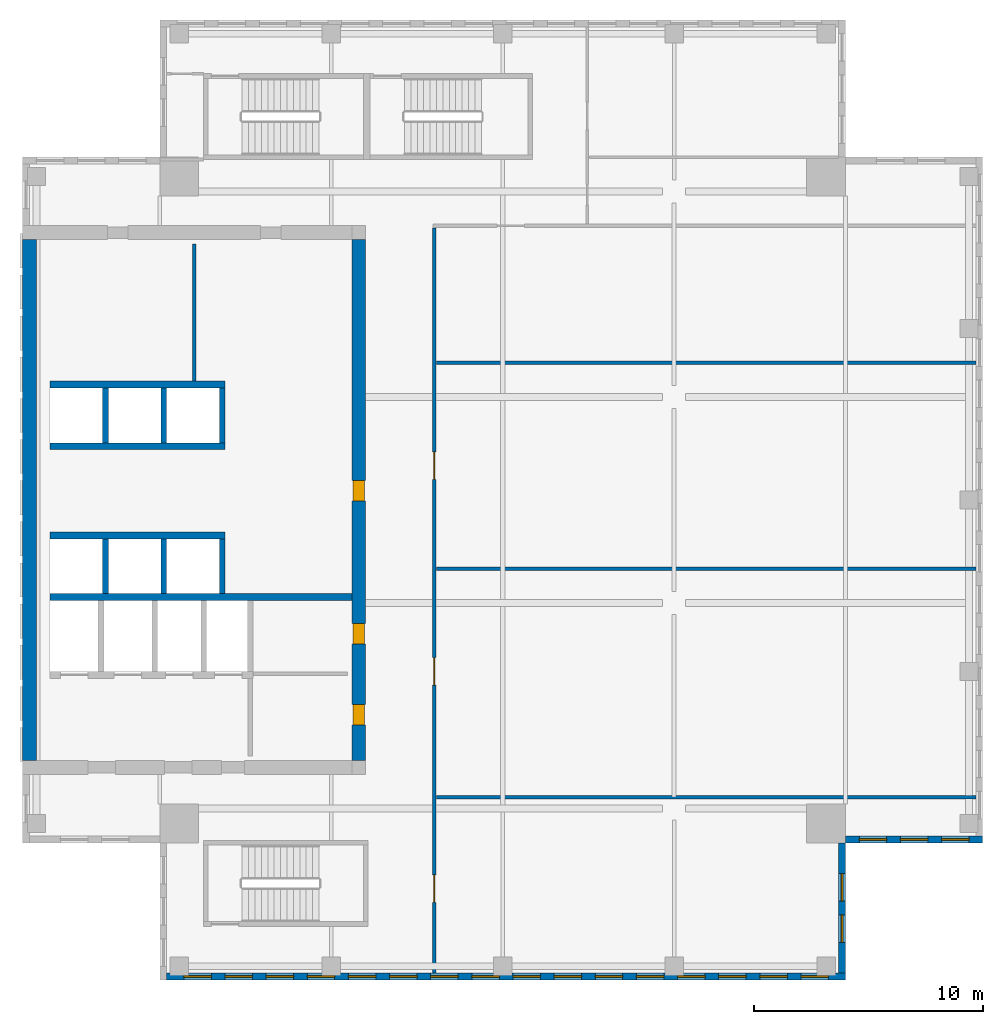
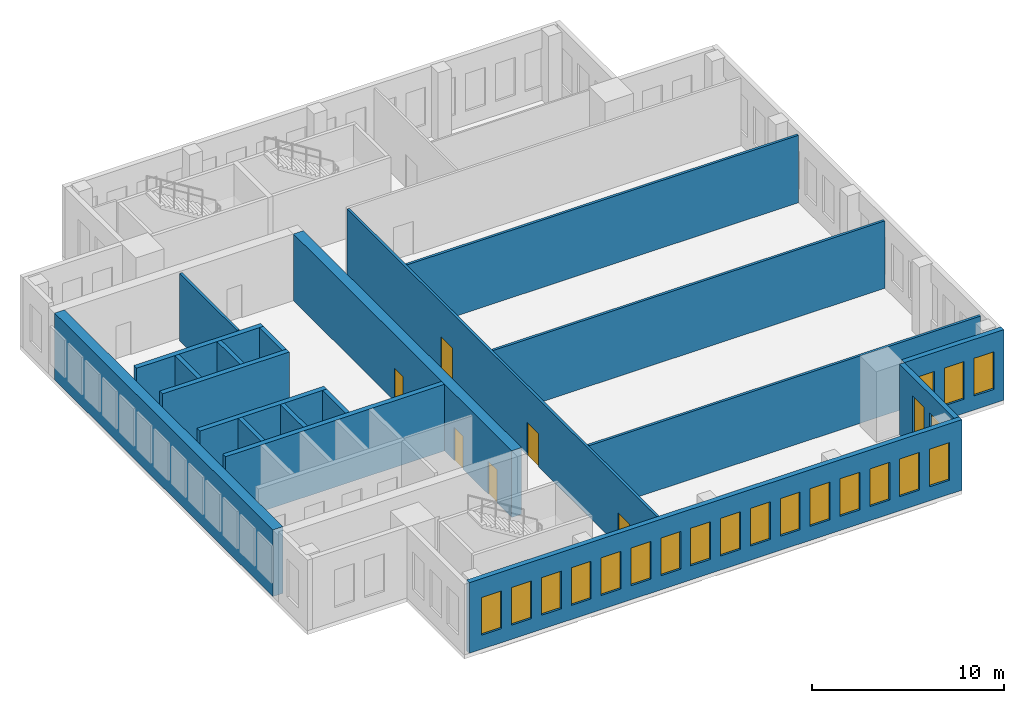
# One storey, part 3 of 6: 21 windows, 20 walls, 6 doors, 27 openings.
"""IFC4 building model written with IfcOpenShell, lengths in metres."""

from ifc_helpers import new_model, si_unit, direction, frame, frame_2d, origin, place, context, subcontext, project, spatial, rectangle, extrude, source, transform, mapped, material, layer, layer_set, type_object, element, fill, save


model = new_model("IFC4")

# Units and contexts
model_context = context("Model", 3, precision=1e-05, world=origin(), true_north=direction((0.0, 1.0)))
body_context = subcontext(model_context, "Body", "Model", "MODEL_VIEW")
ifc_project = project(units=[si_unit("LENGTHUNIT", "METRE"), si_unit("AREAUNIT", "SQUARE_METRE"), si_unit("VOLUMEUNIT", "CUBIC_METRE"), si_unit("PLANEANGLEUNIT", "RADIAN"), si_unit("MASSUNIT", "GRAM", prefix="KILO")], contexts=[model_context])

# Site, building, storey
site_placement = place(None, origin())
site = spatial("IfcSite", under=ifc_project, at=site_placement, CompositionType="ELEMENT")
building_placement = place(site_placement, origin())
building = spatial("IfcBuilding", under=site, at=building_placement, Name="Khomas Fold Tower", CompositionType="ELEMENT")
storey_placement = place(building_placement, frame((0.0, 0.0, 330.199951171875)))
storey = spatial("IfcBuildingStorey", under=building, at=storey_placement, Name="C1", CompositionType="ELEMENT", Elevation=330.199951171875)

# Wall, openings, doors
ifc_material_1 = material(Name="Concrete C50/60", Category="concrete")
ifc_layer_1 = layer(ifc_material_1, 0.60009765625)
ifc_layer_set_1 = layer_set([ifc_layer_1], Name="Concrete C50/60")
wall_type_1 = type_object("IfcWallType", Name="Core wall 600", PredefinedType="SHEAR", material=ifc_layer_set_1)
shared_shape_1 = source(origin(), body_context, "Body", "SweptSolid", [
    extrude(rectangle(XDim=22.7998046875, YDim=0.60009765625, at=frame_2d((11.39990234375, 0.0))), origin(), (0.0, 0.0, 1.0), 4.25),
])
wall_1_placement = place(storey_placement, frame((20.699951171875, 15.60009765625, 0.0), z_axis=(0.0, 0.0, 1.0), x_axis=(0.0, 1.0, 0.0)))
wall_1 = element("IfcWall", 1, at=wall_1_placement, inside=storey, type_object=wall_type_1, Name="Core wall CW-U-E-L63", PredefinedType="SHEAR", context=body_context, shape_type="MappedRepresentation", body=[
    mapped(shared_shape_1, transform((0.0, 0.0, 0.0))),
])
shared_shape_2 = source(origin(), body_context, "Body", "SweptSolid", [
    extrude(rectangle(XDim=0.89990234375, YDim=2.10009765625, at=frame_2d((0.449951171875, 1.050048828125))), frame((0.0, 0.31005859375, 0.0), z_axis=(0.0, -1.0, 0.0), x_axis=(1.0, 0.0, 0.0)), (0.0, 0.0, 1.0), 0.6201171875),
])
opening_1_placement = place(wall_1_placement, frame((11.35009765625, 0.0, 0.0)))
opening_1 = element("IfcOpeningElement", 2, at=opening_1_placement, cuts=wall_1, Name="Opening 0003", PredefinedType="OPENING", context=body_context, shape_type="MappedRepresentation", body=[
    mapped(shared_shape_2, transform((0.0, 0.0, 0.0))),
])
opening_2_placement = place(wall_1_placement, frame((1.550048828125, 0.0, 0.0)))
opening_2 = element("IfcOpeningElement", 3, at=opening_2_placement, cuts=wall_1, Name="Opening 0004", PredefinedType="OPENING", context=body_context, shape_type="MappedRepresentation", body=[
    mapped(shared_shape_2, transform((0.0, 0.0, 0.0))),
])
opening_3_placement = place(wall_1_placement, frame((5.10009765625, 0.0, 0.0)))
opening_3 = element("IfcOpeningElement", 4, at=opening_3_placement, cuts=wall_1, Name="Opening 0003", PredefinedType="OPENING", context=body_context, shape_type="MappedRepresentation", body=[
    mapped(shared_shape_2, transform((0.0, 0.0, 0.0))),
])
ifc_material_2 = material(Name="Steel door leaf", Category="steel")
door_type_1 = type_object("IfcDoorType", Name="Plant room door 900x2100 right-hand", OperationType="SINGLE_SWING_RIGHT", PredefinedType="DOOR", material=ifc_material_2)
shared_shape_3 = source(origin(), body_context, "Body", "SweptSolid", [
    extrude(rectangle(XDim=0.89990234375, YDim=2.10009765625, at=frame_2d((0.449951171875, 1.050048828125))), frame((0.0, 0.25, 0.0), z_axis=(0.0, -1.0, 0.0), x_axis=(1.0, 0.0, 0.0)), (0.0, 0.0, 1.0), 0.5),
])
door_1_placement = place(opening_1_placement, origin())
door_1 = element("IfcDoor", 5, at=door_1_placement, inside=storey, type_object=door_type_1, Name="Plant room door", OperationType="SINGLE_SWING_RIGHT", OverallHeight=2.10009765625, OverallWidth=0.89990234375, PredefinedType="DOOR", context=body_context, shape_type="MappedRepresentation", body=[
    mapped(shared_shape_3, transform((0.0, 0.0, 0.0))),
])
fill(opening_1, door_1)
ifc_material_3 = material(Name="Timber door leaf", Category="wood")
door_type_2 = type_object("IfcDoorType", Name="WC door 900x2100 right-hand", OperationType="SINGLE_SWING_RIGHT", PredefinedType="DOOR", material=ifc_material_3)
door_2_placement = place(opening_2_placement, origin())
door_2 = element("IfcDoor", 6, at=door_2_placement, inside=storey, type_object=door_type_2, Name="WC door", OperationType="SINGLE_SWING_RIGHT", OverallHeight=2.10009765625, OverallWidth=0.89990234375, PredefinedType="DOOR", context=body_context, shape_type="MappedRepresentation", body=[
    mapped(shared_shape_3, transform((0.0, 0.0, 0.0))),
])
fill(opening_2, door_2)
door_3_placement = place(opening_3_placement, origin())
door_3 = element("IfcDoor", 7, at=door_3_placement, inside=storey, type_object=door_type_1, Name="Plant room door", OperationType="SINGLE_SWING_RIGHT", OverallHeight=2.10009765625, OverallWidth=0.89990234375, PredefinedType="DOOR", context=body_context, shape_type="MappedRepresentation", body=[
    mapped(shared_shape_3, transform((0.0, 0.0, 0.0))),
])
fill(opening_3, door_3)

# Walls
wall_2_placement = place(storey_placement, frame((6.300048828125, 15.60009765625, 0.0), z_axis=(0.0, 0.0, 1.0), x_axis=(0.0, 1.0, 0.0)))
element("IfcWall", 8, at=wall_2_placement, inside=storey, type_object=wall_type_1, Name="Core wall CW-U-W-L63", PredefinedType="SHEAR", context=body_context, shape_type="MappedRepresentation", body=[
    mapped(shared_shape_1, transform((0.0, 0.0, 0.0))),
])
ifc_material_4 = material(Name="Concrete C50/60", Category="concrete")
ifc_layer_2 = layer(ifc_material_4, 0.300048828125)
ifc_layer_set_2 = layer_set([ifc_layer_2], Name="Concrete C50/60")
wall_type_2 = type_object("IfcWallType", Name="Shaft wall 300", PredefinedType="STANDARD", material=ifc_layer_set_2)
shared_shape_4 = source(origin(), body_context, "Body", "SweptSolid", [
    extrude(rectangle(XDim=13.199951171875, YDim=0.300048828125, at=frame_2d((6.60009765625, 0.0))), origin(), (0.0, 0.0, 1.0), 4.25),
])
wall_3_placement = place(storey_placement, frame((7.199951171875, 22.75, 0.0), z_axis=(0.0, 0.0, 1.0), x_axis=(1.0, 0.0, 0.0)))
element("IfcWall", 9, at=wall_3_placement, inside=storey, type_object=wall_type_2, Name="Core wall SW-FS-B", PredefinedType="STANDARD", context=body_context, shape_type="MappedRepresentation", body=[
    mapped(shared_shape_4, transform((0.0, 0.0, 0.0))),
])
shared_shape_5 = source(origin(), body_context, "Body", "SweptSolid", [
    extrude(rectangle(XDim=7.650146484375, YDim=0.300048828125, at=frame_2d((3.8251953125, 0.0))), origin(), (0.0, 0.0, 1.0), 4.25),
])
for number, where, z_axis, x_axis, name in (
    (10, (7.199951171875, 32.050048828125, 0.0), (0.0, 0.0, 1.0), (1.0, 0.0, 0.0), "Core wall SW-HRN-B"),
    (11, (7.199951171875, 29.35009765625, 0.0), (0.0, 0.0, 1.0), (1.0, 0.0, 0.0), "Core wall SW-HRN-F"),
    (12, (7.199951171875, 25.449951171875, 0.0), (0.0, 0.0, 1.0), (1.0, 0.0, 0.0), "Core wall SW-HRS-F"),
):
    element("IfcWall", number, at=place(storey_placement, frame(where, z_axis=z_axis, x_axis=x_axis)), inside=storey, type_object=wall_type_2, Name=name, PredefinedType="STANDARD", context=body_context, shape_type="MappedRepresentation", body=[
        mapped(shared_shape_5, transform((0.0, 0.0, 0.0))),
    ])
ifc_material_5 = material(Name="Concrete C50/60", Category="concrete")
ifc_layer_3 = layer(ifc_material_5, 0.25)
ifc_layer_set_3 = layer_set([ifc_layer_3], Name="Concrete C50/60")
wall_type_3 = type_object("IfcWallType", Name="Shaft wall 250", PredefinedType="STANDARD", material=ifc_layer_set_3)
shared_shape_6 = source(origin(), body_context, "Body", "SweptSolid", [
    extrude(rectangle(XDim=2.39990234375, YDim=0.25, at=frame_2d((1.199951171875, 0.0))), origin(), (0.0, 0.0, 1.0), 4.25),
])
for number, where, z_axis, x_axis, name in (
    (13, (9.625, 29.5, 0.0), (0.0, 0.0, 1.0), (0.0, 1.0, 0.0), "Core wall SW-HRN-P1"),
    (14, (12.175048828125, 29.5, 0.0), (0.0, 0.0, 1.0), (0.0, 1.0, 0.0), "Core wall SW-HRN-P2"),
    (15, (14.72509765625, 29.5, 0.0), (0.0, 0.0, 1.0), (0.0, 1.0, 0.0), "Core wall SW-HRN-PE"),
):
    element("IfcWall", number, at=place(storey_placement, frame(where, z_axis=z_axis, x_axis=x_axis)), inside=storey, type_object=wall_type_3, Name=name, PredefinedType="STANDARD", context=body_context, shape_type="MappedRepresentation", body=[
        mapped(shared_shape_6, transform((0.0, 0.0, 0.0))),
    ])
shared_shape_7 = source(origin(), body_context, "Body", "SweptSolid", [
    extrude(rectangle(XDim=2.400146484375, YDim=0.25, at=frame_2d((1.2001953125, 0.0))), origin(), (0.0, 0.0, 1.0), 4.25),
])
for number, where, z_axis, x_axis, name in (
    (16, (9.625, 22.89990234375, 0.0), (0.0, 0.0, 1.0), (0.0, 1.0, 0.0), "Core wall SW-HRS-P1"),
    (17, (12.175048828125, 22.89990234375, 0.0), (0.0, 0.0, 1.0), (0.0, 1.0, 0.0), "Core wall SW-HRS-P2"),
    (18, (14.72509765625, 22.89990234375, 0.0), (0.0, 0.0, 1.0), (0.0, 1.0, 0.0), "Core wall SW-HRS-PE"),
):
    element("IfcWall", number, at=place(storey_placement, frame(where, z_axis=z_axis, x_axis=x_axis)), inside=storey, type_object=wall_type_3, Name=name, PredefinedType="STANDARD", context=body_context, shape_type="MappedRepresentation", body=[
        mapped(shared_shape_7, transform((0.0, 0.0, 0.0))),
    ])

# Wall, openings, windows
ifc_material_6 = material(Name="Concrete C40/50", Category="concrete")
ifc_layer_4 = layer(ifc_material_6, 0.300048828125)
ifc_layer_set_4 = layer_set([ifc_layer_4], Name="Concrete C40/50")
wall_type_4 = type_object("IfcWallType", Name="Crown gable wall 300 CR-GW1", PredefinedType="SOLIDWALL", material=ifc_layer_set_4)
shared_shape_8 = source(origin(), body_context, "Body", "SweptSolid", [
    extrude(rectangle(XDim=29.699951171875, YDim=0.300048828125, at=frame_2d((14.85009765625, 0.0))), origin(), (0.0, 0.0, 1.0), 4.5),
])
wall_4_placement = place(storey_placement, frame((12.300048828125, 6.14990234375, 0.0), z_axis=(0.0, 0.0, 1.0), x_axis=(1.0, 0.0, 0.0)))
wall_4 = element("IfcWall", 19, at=wall_4_placement, inside=storey, type_object=wall_type_4, Name="Crown wall", PredefinedType="SOLIDWALL", context=body_context, shape_type="MappedRepresentation", body=[
    mapped(shared_shape_8, transform((0.0, 0.0, 0.0))),
])
shared_shape_9 = source(origin(), body_context, "Body", "SweptSolid", [
    extrude(rectangle(XDim=1.199951171875, YDim=2.39990234375, at=frame_2d((0.60009765625, 1.199951171875))), frame((0.0, 0.159912109375, 0.0), z_axis=(0.0, -1.0, 0.0), x_axis=(1.0, 0.0, 0.0)), (0.0, 0.0, 1.0), 0.320068359375),
])
opening_4_placement = place(wall_4_placement, frame((0.75, 0.0, 0.89990234375)))
opening_4 = element("IfcOpeningElement", 20, at=opening_4_placement, cuts=wall_4, Name="Opening CR-LV", PredefinedType="OPENING", context=body_context, shape_type="MappedRepresentation", body=[
    mapped(shared_shape_9, transform((0.0, 0.0, 0.0))),
])
opening_5_placement = place(wall_4_placement, frame((2.550048828125, 0.0, 0.89990234375)))
opening_5 = element("IfcOpeningElement", 21, at=opening_5_placement, cuts=wall_4, Name="Opening CR-LV", PredefinedType="OPENING", context=body_context, shape_type="MappedRepresentation", body=[
    mapped(shared_shape_9, transform((0.0, 0.0, 0.0))),
])
opening_6_placement = place(wall_4_placement, frame((4.35009765625, 0.0, 0.89990234375)))
opening_6 = element("IfcOpeningElement", 22, at=opening_6_placement, cuts=wall_4, Name="Opening CR-LV", PredefinedType="OPENING", context=body_context, shape_type="MappedRepresentation", body=[
    mapped(shared_shape_9, transform((0.0, 0.0, 0.0))),
])
opening_7_placement = place(wall_4_placement, frame((6.14990234375, 0.0, 0.89990234375)))
opening_7 = element("IfcOpeningElement", 23, at=opening_7_placement, cuts=wall_4, Name="Opening CR-LV", PredefinedType="OPENING", context=body_context, shape_type="MappedRepresentation", body=[
    mapped(shared_shape_9, transform((0.0, 0.0, 0.0))),
])
opening_8_placement = place(wall_4_placement, frame((7.949951171875, 0.0, 0.89990234375)))
opening_8 = element("IfcOpeningElement", 24, at=opening_8_placement, cuts=wall_4, Name="Opening CR-LV", PredefinedType="OPENING", context=body_context, shape_type="MappedRepresentation", body=[
    mapped(shared_shape_9, transform((0.0, 0.0, 0.0))),
])
opening_9_placement = place(wall_4_placement, frame((9.75, 0.0, 0.89990234375)))
opening_9 = element("IfcOpeningElement", 25, at=opening_9_placement, cuts=wall_4, Name="Opening CR-LV", PredefinedType="OPENING", context=body_context, shape_type="MappedRepresentation", body=[
    mapped(shared_shape_9, transform((0.0, 0.0, 0.0))),
])
opening_10_placement = place(wall_4_placement, frame((11.550048828125, 0.0, 0.89990234375)))
opening_10 = element("IfcOpeningElement", 26, at=opening_10_placement, cuts=wall_4, Name="Opening CR-LV", PredefinedType="OPENING", context=body_context, shape_type="MappedRepresentation", body=[
    mapped(shared_shape_9, transform((0.0, 0.0, 0.0))),
])
opening_11_placement = place(wall_4_placement, frame((13.35009765625, 0.0, 0.89990234375)))
opening_11 = element("IfcOpeningElement", 27, at=opening_11_placement, cuts=wall_4, Name="Opening CR-LV", PredefinedType="OPENING", context=body_context, shape_type="MappedRepresentation", body=[
    mapped(shared_shape_9, transform((0.0, 0.0, 0.0))),
])
opening_12_placement = place(wall_4_placement, frame((15.14990234375, 0.0, 0.89990234375)))
opening_12 = element("IfcOpeningElement", 28, at=opening_12_placement, cuts=wall_4, Name="Opening CR-LV", PredefinedType="OPENING", context=body_context, shape_type="MappedRepresentation", body=[
    mapped(shared_shape_9, transform((0.0, 0.0, 0.0))),
])
opening_13_placement = place(wall_4_placement, frame((16.949951171875, 0.0, 0.89990234375)))
opening_13 = element("IfcOpeningElement", 29, at=opening_13_placement, cuts=wall_4, Name="Opening CR-LV", PredefinedType="OPENING", context=body_context, shape_type="MappedRepresentation", body=[
    mapped(shared_shape_9, transform((0.0, 0.0, 0.0))),
])
opening_14_placement = place(wall_4_placement, frame((18.75, 0.0, 0.89990234375)))
opening_14 = element("IfcOpeningElement", 30, at=opening_14_placement, cuts=wall_4, Name="Opening CR-LV", PredefinedType="OPENING", context=body_context, shape_type="MappedRepresentation", body=[
    mapped(shared_shape_9, transform((0.0, 0.0, 0.0))),
])
opening_15_placement = place(wall_4_placement, frame((20.550048828125, 0.0, 0.89990234375)))
opening_15 = element("IfcOpeningElement", 31, at=opening_15_placement, cuts=wall_4, Name="Opening CR-LV", PredefinedType="OPENING", context=body_context, shape_type="MappedRepresentation", body=[
    mapped(shared_shape_9, transform((0.0, 0.0, 0.0))),
])
opening_16_placement = place(wall_4_placement, frame((22.35009765625, 0.0, 0.89990234375)))
opening_16 = element("IfcOpeningElement", 32, at=opening_16_placement, cuts=wall_4, Name="Opening CR-LV", PredefinedType="OPENING", context=body_context, shape_type="MappedRepresentation", body=[
    mapped(shared_shape_9, transform((0.0, 0.0, 0.0))),
])
opening_17_placement = place(wall_4_placement, frame((24.14990234375, 0.0, 0.89990234375)))
opening_17 = element("IfcOpeningElement", 33, at=opening_17_placement, cuts=wall_4, Name="Opening CR-LV", PredefinedType="OPENING", context=body_context, shape_type="MappedRepresentation", body=[
    mapped(shared_shape_9, transform((0.0, 0.0, 0.0))),
])
opening_18_placement = place(wall_4_placement, frame((25.949951171875, 0.0, 0.89990234375)))
opening_18 = element("IfcOpeningElement", 34, at=opening_18_placement, cuts=wall_4, Name="Opening CR-LV", PredefinedType="OPENING", context=body_context, shape_type="MappedRepresentation", body=[
    mapped(shared_shape_9, transform((0.0, 0.0, 0.0))),
])
opening_19_placement = place(wall_4_placement, frame((27.75, 0.0, 0.89990234375)))
opening_19 = element("IfcOpeningElement", 35, at=opening_19_placement, cuts=wall_4, Name="Opening CR-LV", PredefinedType="OPENING", context=body_context, shape_type="MappedRepresentation", body=[
    mapped(shared_shape_9, transform((0.0, 0.0, 0.0))),
])
ifc_material_7 = material(Name="Aluminium louvre", Category="aluminium")
window_type = type_object("IfcWindowType", Name="Crown plant louvre 1200 x 2400", PartitioningType="SINGLE_PANEL", PredefinedType="WINDOW", material=ifc_material_7)
shared_shape_10 = source(origin(), body_context, "Body", "SweptSolid", [
    extrude(rectangle(XDim=1.199951171875, YDim=2.39990234375, at=frame_2d((0.60009765625, 1.199951171875))), frame((0.0, 0.030029296875, 0.0), z_axis=(0.0, -1.0, 0.0), x_axis=(1.0, 0.0, 0.0)), (0.0, 0.0, 1.0), 0.06005859375),
])
window_1_placement = place(opening_4_placement, origin())
window_1 = element("IfcWindow", 36, at=window_1_placement, inside=storey, type_object=window_type, Name="Crown plant louvre", OverallHeight=2.39990234375, OverallWidth=1.199951171875, PartitioningType="SINGLE_PANEL", PredefinedType="WINDOW", context=body_context, shape_type="MappedRepresentation", body=[
    mapped(shared_shape_10, transform((0.0, 0.0, 0.0))),
])
fill(opening_4, window_1)
window_2_placement = place(opening_5_placement, origin())
window_2 = element("IfcWindow", 37, at=window_2_placement, inside=storey, type_object=window_type, Name="Crown plant louvre", OverallHeight=2.39990234375, OverallWidth=1.199951171875, PartitioningType="SINGLE_PANEL", PredefinedType="WINDOW", context=body_context, shape_type="MappedRepresentation", body=[
    mapped(shared_shape_10, transform((0.0, 0.0, 0.0))),
])
fill(opening_5, window_2)
window_3_placement = place(opening_6_placement, origin())
window_3 = element("IfcWindow", 38, at=window_3_placement, inside=storey, type_object=window_type, Name="Crown plant louvre", OverallHeight=2.39990234375, OverallWidth=1.199951171875, PartitioningType="SINGLE_PANEL", PredefinedType="WINDOW", context=body_context, shape_type="MappedRepresentation", body=[
    mapped(shared_shape_10, transform((0.0, 0.0, 0.0))),
])
fill(opening_6, window_3)
window_4_placement = place(opening_7_placement, origin())
window_4 = element("IfcWindow", 39, at=window_4_placement, inside=storey, type_object=window_type, Name="Crown plant louvre", OverallHeight=2.39990234375, OverallWidth=1.199951171875, PartitioningType="SINGLE_PANEL", PredefinedType="WINDOW", context=body_context, shape_type="MappedRepresentation", body=[
    mapped(shared_shape_10, transform((0.0, 0.0, 0.0))),
])
fill(opening_7, window_4)
window_5_placement = place(opening_8_placement, origin())
window_5 = element("IfcWindow", 40, at=window_5_placement, inside=storey, type_object=window_type, Name="Crown plant louvre", OverallHeight=2.39990234375, OverallWidth=1.199951171875, PartitioningType="SINGLE_PANEL", PredefinedType="WINDOW", context=body_context, shape_type="MappedRepresentation", body=[
    mapped(shared_shape_10, transform((0.0, 0.0, 0.0))),
])
fill(opening_8, window_5)
window_6_placement = place(opening_9_placement, origin())
window_6 = element("IfcWindow", 41, at=window_6_placement, inside=storey, type_object=window_type, Name="Crown plant louvre", OverallHeight=2.39990234375, OverallWidth=1.199951171875, PartitioningType="SINGLE_PANEL", PredefinedType="WINDOW", context=body_context, shape_type="MappedRepresentation", body=[
    mapped(shared_shape_10, transform((0.0, 0.0, 0.0))),
])
fill(opening_9, window_6)
window_7_placement = place(opening_10_placement, origin())
window_7 = element("IfcWindow", 42, at=window_7_placement, inside=storey, type_object=window_type, Name="Crown plant louvre", OverallHeight=2.39990234375, OverallWidth=1.199951171875, PartitioningType="SINGLE_PANEL", PredefinedType="WINDOW", context=body_context, shape_type="MappedRepresentation", body=[
    mapped(shared_shape_10, transform((0.0, 0.0, 0.0))),
])
fill(opening_10, window_7)
window_8_placement = place(opening_11_placement, origin())
window_8 = element("IfcWindow", 43, at=window_8_placement, inside=storey, type_object=window_type, Name="Crown plant louvre", OverallHeight=2.39990234375, OverallWidth=1.199951171875, PartitioningType="SINGLE_PANEL", PredefinedType="WINDOW", context=body_context, shape_type="MappedRepresentation", body=[
    mapped(shared_shape_10, transform((0.0, 0.0, 0.0))),
])
fill(opening_11, window_8)
window_9_placement = place(opening_12_placement, origin())
window_9 = element("IfcWindow", 44, at=window_9_placement, inside=storey, type_object=window_type, Name="Crown plant louvre", OverallHeight=2.39990234375, OverallWidth=1.199951171875, PartitioningType="SINGLE_PANEL", PredefinedType="WINDOW", context=body_context, shape_type="MappedRepresentation", body=[
    mapped(shared_shape_10, transform((0.0, 0.0, 0.0))),
])
fill(opening_12, window_9)
window_10_placement = place(opening_13_placement, origin())
window_10 = element("IfcWindow", 45, at=window_10_placement, inside=storey, type_object=window_type, Name="Crown plant louvre", OverallHeight=2.39990234375, OverallWidth=1.199951171875, PartitioningType="SINGLE_PANEL", PredefinedType="WINDOW", context=body_context, shape_type="MappedRepresentation", body=[
    mapped(shared_shape_10, transform((0.0, 0.0, 0.0))),
])
fill(opening_13, window_10)
window_11_placement = place(opening_14_placement, origin())
window_11 = element("IfcWindow", 46, at=window_11_placement, inside=storey, type_object=window_type, Name="Crown plant louvre", OverallHeight=2.39990234375, OverallWidth=1.199951171875, PartitioningType="SINGLE_PANEL", PredefinedType="WINDOW", context=body_context, shape_type="MappedRepresentation", body=[
    mapped(shared_shape_10, transform((0.0, 0.0, 0.0))),
])
fill(opening_14, window_11)
window_12_placement = place(opening_15_placement, origin())
window_12 = element("IfcWindow", 47, at=window_12_placement, inside=storey, type_object=window_type, Name="Crown plant louvre", OverallHeight=2.39990234375, OverallWidth=1.199951171875, PartitioningType="SINGLE_PANEL", PredefinedType="WINDOW", context=body_context, shape_type="MappedRepresentation", body=[
    mapped(shared_shape_10, transform((0.0, 0.0, 0.0))),
])
fill(opening_15, window_12)
window_13_placement = place(opening_16_placement, origin())
window_13 = element("IfcWindow", 48, at=window_13_placement, inside=storey, type_object=window_type, Name="Crown plant louvre", OverallHeight=2.39990234375, OverallWidth=1.199951171875, PartitioningType="SINGLE_PANEL", PredefinedType="WINDOW", context=body_context, shape_type="MappedRepresentation", body=[
    mapped(shared_shape_10, transform((0.0, 0.0, 0.0))),
])
fill(opening_16, window_13)
window_14_placement = place(opening_17_placement, origin())
window_14 = element("IfcWindow", 49, at=window_14_placement, inside=storey, type_object=window_type, Name="Crown plant louvre", OverallHeight=2.39990234375, OverallWidth=1.199951171875, PartitioningType="SINGLE_PANEL", PredefinedType="WINDOW", context=body_context, shape_type="MappedRepresentation", body=[
    mapped(shared_shape_10, transform((0.0, 0.0, 0.0))),
])
fill(opening_17, window_14)
window_15_placement = place(opening_18_placement, origin())
window_15 = element("IfcWindow", 50, at=window_15_placement, inside=storey, type_object=window_type, Name="Crown plant louvre", OverallHeight=2.39990234375, OverallWidth=1.199951171875, PartitioningType="SINGLE_PANEL", PredefinedType="WINDOW", context=body_context, shape_type="MappedRepresentation", body=[
    mapped(shared_shape_10, transform((0.0, 0.0, 0.0))),
])
fill(opening_18, window_15)
window_16_placement = place(opening_19_placement, origin())
window_16 = element("IfcWindow", 51, at=window_16_placement, inside=storey, type_object=window_type, Name="Crown plant louvre", OverallHeight=2.39990234375, OverallWidth=1.199951171875, PartitioningType="SINGLE_PANEL", PredefinedType="WINDOW", context=body_context, shape_type="MappedRepresentation", body=[
    mapped(shared_shape_10, transform((0.0, 0.0, 0.0))),
])
fill(opening_19, window_16)

shared_shape_11 = source(origin(), body_context, "Body", "SweptSolid", [
    extrude(rectangle(XDim=5.699951171875, YDim=0.300048828125, at=frame_2d((2.85009765625, 0.0))), origin(), (0.0, 0.0, 1.0), 4.5),
])
wall_5_placement = place(storey_placement, frame((41.85009765625, 6.300048828125, 0.0), z_axis=(0.0, 0.0, 1.0), x_axis=(0.0, 1.0, 0.0)))
wall_5 = element("IfcWall", 52, at=wall_5_placement, inside=storey, type_object=wall_type_4, Name="Crown wall", PredefinedType="SOLIDWALL", context=body_context, shape_type="MappedRepresentation", body=[
    mapped(shared_shape_11, transform((0.0, 0.0, 0.0))),
])
opening_20_placement = place(wall_5_placement, frame((1.35009765625, 0.0, 0.89990234375)))
opening_20 = element("IfcOpeningElement", 53, at=opening_20_placement, cuts=wall_5, Name="Opening CR-LV", PredefinedType="OPENING", context=body_context, shape_type="MappedRepresentation", body=[
    mapped(shared_shape_9, transform((0.0, 0.0, 0.0))),
])
opening_21_placement = place(wall_5_placement, frame((3.14990234375, 0.0, 0.89990234375)))
opening_21 = element("IfcOpeningElement", 54, at=opening_21_placement, cuts=wall_5, Name="Opening CR-LV", PredefinedType="OPENING", context=body_context, shape_type="MappedRepresentation", body=[
    mapped(shared_shape_9, transform((0.0, 0.0, 0.0))),
])
window_17_placement = place(opening_20_placement, origin())
window_17 = element("IfcWindow", 55, at=window_17_placement, inside=storey, type_object=window_type, Name="Crown plant louvre", OverallHeight=2.39990234375, OverallWidth=1.199951171875, PartitioningType="SINGLE_PANEL", PredefinedType="WINDOW", context=body_context, shape_type="MappedRepresentation", body=[
    mapped(shared_shape_10, transform((0.0, 0.0, 0.0))),
])
fill(opening_20, window_17)
window_18_placement = place(opening_21_placement, origin())
window_18 = element("IfcWindow", 56, at=window_18_placement, inside=storey, type_object=window_type, Name="Crown plant louvre", OverallHeight=2.39990234375, OverallWidth=1.199951171875, PartitioningType="SINGLE_PANEL", PredefinedType="WINDOW", context=body_context, shape_type="MappedRepresentation", body=[
    mapped(shared_shape_10, transform((0.0, 0.0, 0.0))),
])
fill(opening_21, window_18)

shared_shape_12 = source(origin(), body_context, "Body", "SweptSolid", [
    extrude(rectangle(XDim=6.0, YDim=0.300048828125, at=frame_2d((3.0, 0.0))), origin(), (0.0, 0.0, 1.0), 4.5),
])
wall_6_placement = place(storey_placement, frame((42.0, 12.14990234375, 0.0), z_axis=(0.0, 0.0, 1.0), x_axis=(1.0, 0.0, 0.0)))
wall_6 = element("IfcWall", 57, at=wall_6_placement, inside=storey, type_object=wall_type_4, Name="Crown wall", PredefinedType="SOLIDWALL", context=body_context, shape_type="MappedRepresentation", body=[
    mapped(shared_shape_12, transform((0.0, 0.0, 0.0))),
])
opening_22_placement = place(wall_6_placement, frame((0.60009765625, 0.0, 0.89990234375)))
opening_22 = element("IfcOpeningElement", 58, at=opening_22_placement, cuts=wall_6, Name="Opening CR-LV", PredefinedType="OPENING", context=body_context, shape_type="MappedRepresentation", body=[
    mapped(shared_shape_9, transform((0.0, 0.0, 0.0))),
])
opening_23_placement = place(wall_6_placement, frame((2.39990234375, 0.0, 0.89990234375)))
opening_23 = element("IfcOpeningElement", 59, at=opening_23_placement, cuts=wall_6, Name="Opening CR-LV", PredefinedType="OPENING", context=body_context, shape_type="MappedRepresentation", body=[
    mapped(shared_shape_9, transform((0.0, 0.0, 0.0))),
])
opening_24_placement = place(wall_6_placement, frame((4.199951171875, 0.0, 0.89990234375)))
opening_24 = element("IfcOpeningElement", 60, at=opening_24_placement, cuts=wall_6, Name="Opening CR-LV", PredefinedType="OPENING", context=body_context, shape_type="MappedRepresentation", body=[
    mapped(shared_shape_9, transform((0.0, 0.0, 0.0))),
])
window_19_placement = place(opening_22_placement, origin())
window_19 = element("IfcWindow", 61, at=window_19_placement, inside=storey, type_object=window_type, Name="Crown plant louvre", OverallHeight=2.39990234375, OverallWidth=1.199951171875, PartitioningType="SINGLE_PANEL", PredefinedType="WINDOW", context=body_context, shape_type="MappedRepresentation", body=[
    mapped(shared_shape_10, transform((0.0, 0.0, 0.0))),
])
fill(opening_22, window_19)
window_20_placement = place(opening_23_placement, origin())
window_20 = element("IfcWindow", 62, at=window_20_placement, inside=storey, type_object=window_type, Name="Crown plant louvre", OverallHeight=2.39990234375, OverallWidth=1.199951171875, PartitioningType="SINGLE_PANEL", PredefinedType="WINDOW", context=body_context, shape_type="MappedRepresentation", body=[
    mapped(shared_shape_10, transform((0.0, 0.0, 0.0))),
])
fill(opening_23, window_20)
window_21_placement = place(opening_24_placement, origin())
window_21 = element("IfcWindow", 63, at=window_21_placement, inside=storey, type_object=window_type, Name="Crown plant louvre", OverallHeight=2.39990234375, OverallWidth=1.199951171875, PartitioningType="SINGLE_PANEL", PredefinedType="WINDOW", context=body_context, shape_type="MappedRepresentation", body=[
    mapped(shared_shape_10, transform((0.0, 0.0, 0.0))),
])
fill(opening_24, window_21)

# Wall, openings, doors
ifc_material_8 = material(Name="Plasterboard fire partition")
ifc_layer_5 = layer(ifc_material_8, 0.14990234375)
ifc_layer_set_5 = layer_set([ifc_layer_5], Name="Plasterboard fire partition")
wall_type_5 = type_object("IfcWallType", Name="Plant room wall PW3 150", PredefinedType="PARTITIONING", material=ifc_layer_set_5)
shared_shape_13 = source(origin(), body_context, "Body", "SweptSolid", [
    extrude(rectangle(XDim=32.599853515625, YDim=0.14990234375, at=frame_2d((16.2998046875, 0.0))), origin(), (0.0, 0.0, 1.0), 4.300048828125),
])
wall_7_placement = place(storey_placement, frame((24.0, 6.300048828125, 0.0), z_axis=(0.0, 0.0, 1.0), x_axis=(0.0, 1.0, 0.0)))
wall_7 = element("IfcWall", 64, at=wall_7_placement, inside=storey, type_object=wall_type_5, Name="Plant room wall", PredefinedType="PARTITIONING", context=body_context, shape_type="MappedRepresentation", body=[
    mapped(shared_shape_13, transform((0.0, 0.0, 0.0))),
])
shared_shape_14 = source(origin(), body_context, "Body", "SweptSolid", [
    extrude(rectangle(XDim=1.199951171875, YDim=2.10009765625, at=frame_2d((0.60009765625, 1.050048828125))), frame((0.0, 0.0849609375, 0.0), z_axis=(0.0, -1.0, 0.0), x_axis=(1.0, 0.0, 0.0)), (0.0, 0.0, 1.0), 0.169921875),
])
opening_25_placement = place(wall_7_placement, frame((3.10009765625, 0.0, 0.0)))
opening_25 = element("IfcOpeningElement", 65, at=opening_25_placement, cuts=wall_7, Name="Opening 0011", PredefinedType="OPENING", context=body_context, shape_type="MappedRepresentation", body=[
    mapped(shared_shape_14, transform((0.0, 0.0, 0.0))),
])
opening_26_placement = place(wall_7_placement, frame((12.60009765625, 0.0, 0.0)))
opening_26 = element("IfcOpeningElement", 66, at=opening_26_placement, cuts=wall_7, Name="Opening 0012", PredefinedType="OPENING", context=body_context, shape_type="MappedRepresentation", body=[
    mapped(shared_shape_14, transform((0.0, 0.0, 0.0))),
])
opening_27_placement = place(wall_7_placement, frame((21.60009765625, 0.0, 0.0)))
opening_27 = element("IfcOpeningElement", 67, at=opening_27_placement, cuts=wall_7, Name="Opening 0011", PredefinedType="OPENING", context=body_context, shape_type="MappedRepresentation", body=[
    mapped(shared_shape_14, transform((0.0, 0.0, 0.0))),
])
ifc_material_9 = material(Name="Steel door leaf", Category="steel")
door_type_3 = type_object("IfcDoorType", Name="Plant room door 1200x2100 right-hand", OperationType="SINGLE_SWING_RIGHT", PredefinedType="DOOR", material=ifc_material_9)
shared_shape_15 = source(origin(), body_context, "Body", "SweptSolid", [
    extrude(rectangle(XDim=1.199951171875, YDim=2.10009765625, at=frame_2d((0.60009765625, 1.050048828125))), frame((0.0, 0.02490234375, 0.0), z_axis=(0.0, -1.0, 0.0), x_axis=(1.0, 0.0, 0.0)), (0.0, 0.0, 1.0), 0.050048828125),
])
door_4_placement = place(opening_25_placement, origin())
door_4 = element("IfcDoor", 68, at=door_4_placement, inside=storey, type_object=door_type_3, Name="Plant room door", OperationType="SINGLE_SWING_RIGHT", OverallHeight=2.10009765625, OverallWidth=1.199951171875, PredefinedType="DOOR", context=body_context, shape_type="MappedRepresentation", body=[
    mapped(shared_shape_15, transform((0.0, 0.0, 0.0))),
])
fill(opening_25, door_4)
ifc_material_10 = material(Name="Steel door leaf", Category="steel")
door_type_4 = type_object("IfcDoorType", Name="Plant room door 1200x2100 left-hand", OperationType="SINGLE_SWING_LEFT", PredefinedType="DOOR", material=ifc_material_10)
door_5_placement = place(opening_26_placement, origin())
door_5 = element("IfcDoor", 69, at=door_5_placement, inside=storey, type_object=door_type_4, Name="Plant room door", OperationType="SINGLE_SWING_LEFT", OverallHeight=2.10009765625, OverallWidth=1.199951171875, PredefinedType="DOOR", context=body_context, shape_type="MappedRepresentation", body=[
    mapped(shared_shape_15, transform((0.0, 0.0, 0.0))),
])
fill(opening_26, door_5)
door_6_placement = place(opening_27_placement, origin())
door_6 = element("IfcDoor", 70, at=door_6_placement, inside=storey, type_object=door_type_3, Name="Plant room door", OperationType="SINGLE_SWING_RIGHT", OverallHeight=2.10009765625, OverallWidth=1.199951171875, PredefinedType="DOOR", context=body_context, shape_type="MappedRepresentation", body=[
    mapped(shared_shape_15, transform((0.0, 0.0, 0.0))),
])
fill(opening_27, door_6)

# Walls
shared_shape_16 = source(origin(), body_context, "Body", "SweptSolid", [
    extrude(rectangle(XDim=23.599853515625, YDim=0.14990234375, at=frame_2d((11.7998046875, 0.0))), origin(), (0.0, 0.0, 1.0), 4.300048828125),
])
for number, where, z_axis, x_axis, name in (
    (71, (24.10009765625, 14.0, 0.0), (0.0, 0.0, 1.0), (1.0, 0.0, 0.0), "Plant room wall"),
    (72, (24.10009765625, 24.0, 0.0), (0.0, 0.0, 1.0), (1.0, 0.0, 0.0), "Plant room wall"),
    (73, (24.10009765625, 33.0, 0.0), (0.0, 0.0, 1.0), (1.0, 0.0, 0.0), "Plant room wall"),
):
    element("IfcWall", number, at=place(storey_placement, frame(where, z_axis=z_axis, x_axis=x_axis)), inside=storey, type_object=wall_type_5, Name=name, PredefinedType="PARTITIONING", context=body_context, shape_type="MappedRepresentation", body=[
        mapped(shared_shape_16, transform((0.0, 0.0, 0.0))),
    ])
shared_shape_17 = source(origin(), body_context, "Body", "SweptSolid", [
    extrude(rectangle(XDim=6.0, YDim=0.14990234375, at=frame_2d((3.0, 0.0))), origin(), (0.0, 0.0, 1.0), 4.300048828125),
])
wall_8_placement = place(storey_placement, frame((13.5, 32.199951171875, 0.0), z_axis=(0.0, 0.0, 1.0), x_axis=(0.0, 1.0, 0.0)))
element("IfcWall", 74, at=wall_8_placement, inside=storey, type_object=wall_type_5, Name="Plant room wall", PredefinedType="PARTITIONING", context=body_context, shape_type="MappedRepresentation", body=[
    mapped(shared_shape_17, transform((0.0, 0.0, 0.0))),
])

save(model, "model.ifc")
